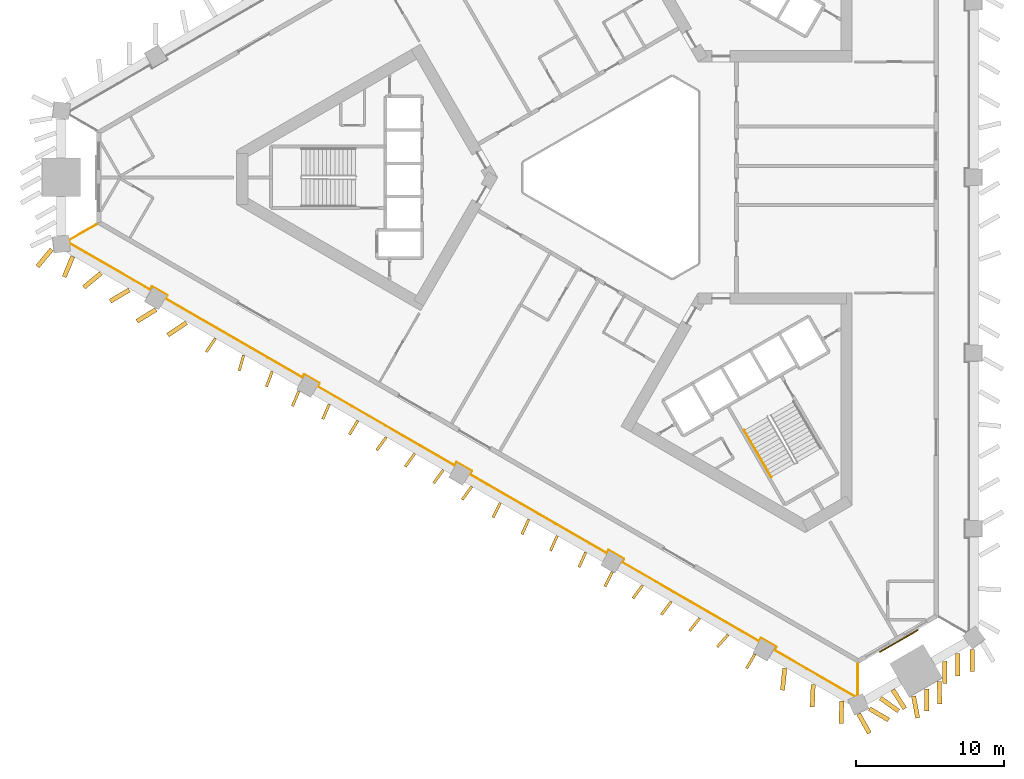
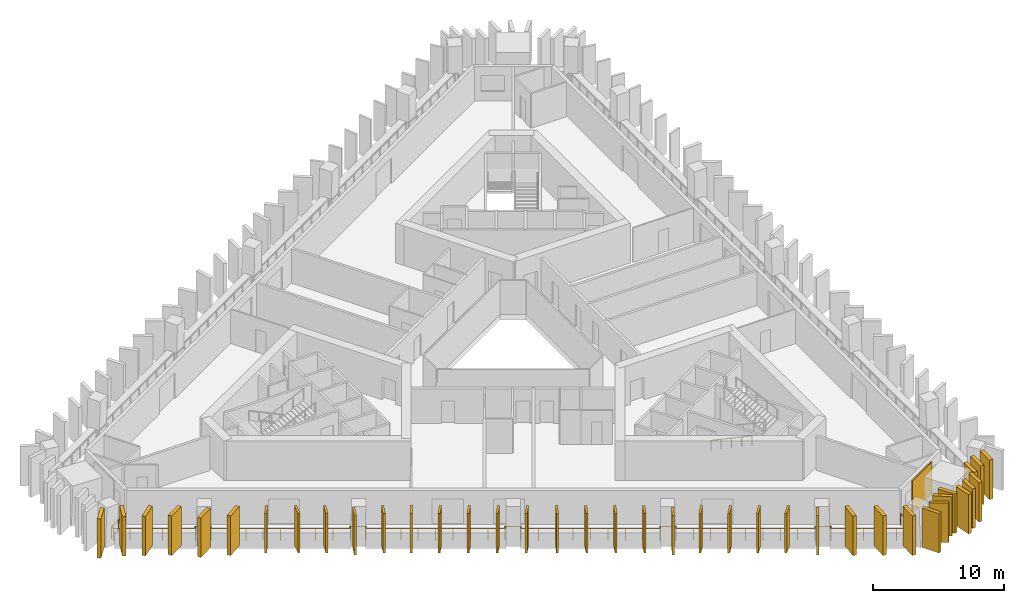
# One storey, part 8 of 11: 39 shading devices, 2 railings, 1 covering.
"""IFC4 building model written with IfcOpenShell, lengths in metres."""

from ifc_helpers import new_model, si_unit, direction, frame, frame_2d, origin, origin_2d, place, context, subcontext, project, spatial, rectangle, circle, extrude, material, layer, layer_set, type_object, element, save


model = new_model("IFC4")

# Units and contexts
model_context = context("Model", 3, precision=1e-05, world=origin(), true_north=direction((0.0, 1.0)))
body_context = subcontext(model_context, "Body", "Model", "MODEL_VIEW")
ifc_project = project(units=[si_unit("LENGTHUNIT", "METRE"), si_unit("AREAUNIT", "SQUARE_METRE"), si_unit("VOLUMEUNIT", "CUBIC_METRE"), si_unit("PLANEANGLEUNIT", "RADIAN"), si_unit("MASSUNIT", "GRAM", prefix="KILO")], contexts=[model_context])

# Site, building, storey
site_placement = place(None, origin())
site = spatial("IfcSite", under=ifc_project, at=site_placement, CompositionType="ELEMENT")
building_placement = place(site_placement, origin())
building = spatial("IfcBuilding", under=site, at=building_placement, Name="Jabali Bay Hotel Tower and Convention Centre", CompositionType="ELEMENT")
storey_placement = place(building_placement, frame((0.0, 0.0, 75.800048828125)))
storey = spatial("IfcBuildingStorey", under=building, at=storey_placement, Name="L17", CompositionType="ELEMENT", Elevation=75.800048828125)

# Railing
ifc_material_1 = material(Name="Glass", Category="glass")
railing_type_1 = type_object("IfcRailingType", Name="Loggia glass guard 1100", PredefinedType="BALUSTRADE", material=ifc_material_1)
railing_1_placement = place(storey_placement, frame((90.2822265625, 47.1875, 0.0)))
element("IfcRailing", 1, at=railing_1_placement, inside=storey, type_object=railing_type_1, Name="Loggia glass guard L17", PredefinedType="BALUSTRADE", context=body_context, shape_type="SweptSolid", body=[
    extrude(circle(Radius=0.02490234375, at=origin_2d()), frame((0.0, 0.0, 1.0751953125), z_axis=(0.0, -1.0, 0.0), x_axis=(0.991444861374, 0.0, 0.13052619222)), (0.0, 0.0, 1.0), 2.110595703125),
    extrude(circle(Radius=0.02490234375, at=origin_2d()), frame((0.0, -2.110595703125, 1.0751953125), z_axis=(-0.918438029816, -0.395564894029, 0.0), x_axis=(0.392180781525, -0.910580665151, 0.13052619222)), (0.0, 0.0, 1.0), 0.21484375),
    extrude(circle(Radius=0.02490234375, at=origin_2d()), frame((-0.197265625, -2.195556640625, 1.0751953125), z_axis=(-0.86603308215, 0.499986700445, 0.0), x_axis=(-0.495709244911, -0.858624049077, 0.13052619222)), (0.0, 0.0, 1.0), 6.264892578125),
    extrude(circle(Radius=0.02490234375, at=origin_2d()), frame((-5.622802734375, 0.936767578125, 1.0751953125), z_axis=(0.499919672301, 0.866071776036, 0.0), x_axis=(-0.858662411932, 0.495642790202, 0.13052619222)), (0.0, 0.0, 1.0), 0.25),
    extrude(circle(Radius=0.02490234375, at=origin_2d()), frame((-5.497802734375, 1.1533203125, 1.0751953125), z_axis=(-0.865955154139, 0.50012165622, 0.0), x_axis=(-0.495843046121, -0.858546787751, 0.13052619222)), (0.0, 0.0, 1.0), 1.199951171875),
    extrude(circle(Radius=0.02490234375, at=origin_2d()), frame((-6.536865234375, 1.75341796875, 1.0751953125), z_axis=(-0.499919672301, -0.866071776036, 0.0), x_axis=(0.858662411932, -0.495642790202, 0.13052619222)), (0.0, 0.0, 1.0), 0.25),
    extrude(circle(Radius=0.02490234375, at=origin_2d()), frame((-6.661865234375, 1.536865234375, 1.0751953125), z_axis=(-0.866031384183, 0.499989641503, 0.0), x_axis=(-0.495712160809, -0.858622365636, 0.13052619222)), (0.0, 0.0, 1.0), 10.651611328125),
    extrude(circle(Radius=0.02490234375, at=origin_2d()), frame((-15.886474609375, 6.862548828125, 1.0751953125), z_axis=(0.499919672301, 0.866071776036, 0.0), x_axis=(-0.858662411932, 0.495642790202, 0.13052619222)), (0.0, 0.0, 1.0), 0.25),
    extrude(circle(Radius=0.02490234375, at=origin_2d()), frame((-15.761474609375, 7.0791015625, 1.0751953125), z_axis=(-0.866006032174, 0.500033551112, 0.0), x_axis=(-0.495755694765, -0.858597230518, 0.13052619222)), (0.0, 0.0, 1.0), 1.2001953125),
    extrude(circle(Radius=0.02490234375, at=origin_2d()), frame((-16.80078125, 7.67919921875, 1.0751953125), z_axis=(-0.499919672301, -0.866071776036, 0.0), x_axis=(0.858662411932, -0.495642790202, 0.13052619222)), (0.0, 0.0, 1.0), 0.25),
    extrude(circle(Radius=0.02490234375, at=origin_2d()), frame((-16.92578125, 7.462646484375, 1.0751953125), z_axis=(-0.866021459358, 0.500006831884, 0.0), x_axis=(-0.495729204123, -0.85861252572, 0.13052619222)), (0.0, 0.0, 1.0), 10.651611328125),
    extrude(circle(Radius=0.02490234375, at=origin_2d()), frame((-26.150390625, 12.78857421875, 1.0751953125), z_axis=(0.500342721131, 0.865827443207, 0.0), x_axis=(-0.858420169404, 0.496062219791, 0.13052619222)), (0.0, 0.0, 1.0), 0.249755859375),
    extrude(circle(Radius=0.02490234375, at=origin_2d()), frame((-26.025390625, 13.0048828125, 1.0751953125), z_axis=(-0.865955154139, 0.50012165622, 0.0), x_axis=(-0.495843046121, -0.858546787751, 0.13052619222)), (0.0, 0.0, 1.0), 1.199951171875),
    extrude(circle(Radius=0.02490234375, at=origin_2d()), frame((-27.064453125, 13.60498046875, 1.0751953125), z_axis=(-0.499919672301, -0.866071776036, 0.0), x_axis=(0.858662411932, -0.495642790202, 0.13052619222)), (0.0, 0.0, 1.0), 0.25),
    extrude(circle(Radius=0.02490234375, at=origin_2d()), frame((-27.189453125, 13.388427734375, 1.0751953125), z_axis=(-0.866021459358, 0.500006831884, 0.0), x_axis=(-0.495729204123, -0.85861252572, 0.13052619222)), (0.0, 0.0, 1.0), 10.651611328125),
    extrude(circle(Radius=0.02490234375, at=origin_2d()), frame((-36.4140625, 18.71435546875, 1.0751953125), z_axis=(0.500342721131, 0.865827443207, 0.0), x_axis=(-0.858420169404, 0.496062219791, 0.13052619222)), (0.0, 0.0, 1.0), 0.249755859375),
    extrude(circle(Radius=0.02490234375, at=origin_2d()), frame((-36.2890625, 18.9306640625, 1.0751953125), z_axis=(-0.866006032174, 0.500033551112, 0.0), x_axis=(-0.495755694765, -0.858597230518, 0.13052619222)), (0.0, 0.0, 1.0), 1.2001953125),
    extrude(circle(Radius=0.02490234375, at=origin_2d()), frame((-37.328369140625, 19.53076171875, 1.0751953125), z_axis=(-0.499919672301, -0.866071776036, 0.0), x_axis=(0.858662411932, -0.495642790202, 0.13052619222)), (0.0, 0.0, 1.0), 0.25),
    extrude(circle(Radius=0.02490234375, at=origin_2d()), frame((-37.453369140625, 19.314208984375, 1.0751953125), z_axis=(-0.866021459358, 0.500006831884, 0.0), x_axis=(-0.495729204123, -0.85861252572, 0.13052619222)), (0.0, 0.0, 1.0), 10.651611328125),
    extrude(circle(Radius=0.02490234375, at=origin_2d()), frame((-46.677978515625, 24.64013671875, 1.0751953125), z_axis=(0.499919672301, 0.866071776036, 0.0), x_axis=(-0.858662411932, 0.495642790202, 0.13052619222)), (0.0, 0.0, 1.0), 0.25),
    extrude(circle(Radius=0.02490234375, at=origin_2d()), frame((-46.552978515625, 24.856689453125, 1.0751953125), z_axis=(-0.866043267704, 0.499969057507, 0.0), x_axis=(-0.495691752911, -0.858634147493, 0.13052619222)), (0.0, 0.0, 1.0), 1.19970703125),
    extrude(circle(Radius=0.02490234375, at=origin_2d()), frame((-47.592041015625, 25.45654296875, 1.0751953125), z_axis=(-0.499919672301, -0.866071776036, 0.0), x_axis=(0.858662411932, -0.495642790202, 0.13052619222)), (0.0, 0.0, 1.0), 0.25),
    extrude(circle(Radius=0.02490234375, at=origin_2d()), frame((-47.717041015625, 25.239990234375, 1.0751953125), z_axis=(-0.866016207726, 0.500015927702, 0.0), x_axis=(-0.495738222126, -0.858607319016, 0.13052619222)), (0.0, 0.0, 1.0), 6.264892578125),
    extrude(circle(Radius=0.02490234375, at=origin_2d()), frame((-53.142578125, 28.37255859375, 1.0751953125), z_axis=(-0.116049066602, 0.993243481801, 0.0), x_axis=(-0.984746146125, -0.11505625075, 0.13052619222)), (0.0, 0.0, 1.0), 0.214599609375),
    extrude(circle(Radius=0.02490234375, at=origin_2d()), frame((-53.16748046875, 28.585693359375, 1.0751953125), z_axis=(0.86605653045, 0.499946083158, 0.0), x_axis=(-0.495668975111, 0.858647296774, 0.13052619222)), (0.0, 0.0, 1.0), 2.110595703125),
    extrude(circle(Radius=0.02001953125, at=origin_2d()), origin(), (0.0, 0.0, 1.0), 1.050048828125),
    extrude(circle(Radius=0.02001953125, at=origin_2d()), frame((0.0, -1.05517578125, 0.0)), (0.0, 0.0, 1.0), 1.050048828125),
    extrude(circle(Radius=0.02001953125, at=origin_2d()), frame((0.0, -2.110595703125, 0.0)), (0.0, 0.0, 1.0), 1.050048828125),
    extrude(circle(Radius=0.02001953125, at=origin_2d()), frame((-0.197265625, -2.195556640625, 0.0)), (0.0, 0.0, 1.0), 1.050048828125),
    extrude(circle(Radius=0.02001953125, at=origin_2d()), frame((-1.282470703125, -1.569091796875, 0.0)), (0.0, 0.0, 1.0), 1.050048828125),
    extrude(circle(Radius=0.02001953125, at=origin_2d()), frame((-2.367431640625, -0.942626953125, 0.0)), (0.0, 0.0, 1.0), 1.050048828125),
    extrude(circle(Radius=0.02001953125, at=origin_2d()), frame((-3.45263671875, -0.316162109375, 0.0)), (0.0, 0.0, 1.0), 1.050048828125),
    extrude(circle(Radius=0.02001953125, at=origin_2d()), frame((-4.53759765625, 0.310302734375, 0.0)), (0.0, 0.0, 1.0), 1.050048828125),
    extrude(circle(Radius=0.02001953125, at=origin_2d()), frame((-5.622802734375, 0.936767578125, 0.0)), (0.0, 0.0, 1.0), 1.050048828125),
    extrude(circle(Radius=0.02001953125, at=origin_2d()), frame((-5.497802734375, 1.1533203125, 0.0)), (0.0, 0.0, 1.0), 1.050048828125),
    extrude(circle(Radius=0.02001953125, at=origin_2d()), frame((-6.536865234375, 1.75341796875, 0.0)), (0.0, 0.0, 1.0), 1.050048828125),
    extrude(circle(Radius=0.02001953125, at=origin_2d()), frame((-6.661865234375, 1.536865234375, 0.0)), (0.0, 0.0, 1.0), 1.050048828125),
    extrude(circle(Radius=0.02001953125, at=origin_2d()), frame((-7.81494140625, 2.20263671875, 0.0)), (0.0, 0.0, 1.0), 1.050048828125),
    extrude(circle(Radius=0.02001953125, at=origin_2d()), frame((-8.968017578125, 2.8681640625, 0.0)), (0.0, 0.0, 1.0), 1.050048828125),
    extrude(circle(Radius=0.02001953125, at=origin_2d()), frame((-10.12109375, 3.533935546875, 0.0)), (0.0, 0.0, 1.0), 1.050048828125),
    extrude(circle(Radius=0.02001953125, at=origin_2d()), frame((-11.274169921875, 4.19970703125, 0.0)), (0.0, 0.0, 1.0), 1.050048828125),
    extrude(circle(Radius=0.02001953125, at=origin_2d()), frame((-12.42724609375, 4.865478515625, 0.0)), (0.0, 0.0, 1.0), 1.050048828125),
    extrude(circle(Radius=0.02001953125, at=origin_2d()), frame((-13.580322265625, 5.53125, 0.0)), (0.0, 0.0, 1.0), 1.050048828125),
    extrude(circle(Radius=0.02001953125, at=origin_2d()), frame((-14.7333984375, 6.19677734375, 0.0)), (0.0, 0.0, 1.0), 1.050048828125),
    extrude(circle(Radius=0.02001953125, at=origin_2d()), frame((-15.886474609375, 6.862548828125, 0.0)), (0.0, 0.0, 1.0), 1.050048828125),
    extrude(circle(Radius=0.02001953125, at=origin_2d()), frame((-15.761474609375, 7.0791015625, 0.0)), (0.0, 0.0, 1.0), 1.050048828125),
    extrude(circle(Radius=0.02001953125, at=origin_2d()), frame((-16.80078125, 7.67919921875, 0.0)), (0.0, 0.0, 1.0), 1.050048828125),
    extrude(circle(Radius=0.02001953125, at=origin_2d()), frame((-16.92578125, 7.462646484375, 0.0)), (0.0, 0.0, 1.0), 1.050048828125),
    extrude(circle(Radius=0.02001953125, at=origin_2d()), frame((-18.078857421875, 8.12841796875, 0.0)), (0.0, 0.0, 1.0), 1.050048828125),
    extrude(circle(Radius=0.02001953125, at=origin_2d()), frame((-19.23193359375, 8.794189453125, 0.0)), (0.0, 0.0, 1.0), 1.050048828125),
    extrude(circle(Radius=0.02001953125, at=origin_2d()), frame((-20.385009765625, 9.4599609375, 0.0)), (0.0, 0.0, 1.0), 1.050048828125),
    extrude(circle(Radius=0.02001953125, at=origin_2d()), frame((-21.5380859375, 10.12548828125, 0.0)), (0.0, 0.0, 1.0), 1.050048828125),
    extrude(circle(Radius=0.02001953125, at=origin_2d()), frame((-22.691162109375, 10.791259765625, 0.0)), (0.0, 0.0, 1.0), 1.050048828125),
    extrude(circle(Radius=0.02001953125, at=origin_2d()), frame((-23.84423828125, 11.45703125, 0.0)), (0.0, 0.0, 1.0), 1.050048828125),
    extrude(circle(Radius=0.02001953125, at=origin_2d()), frame((-24.997314453125, 12.122802734375, 0.0)), (0.0, 0.0, 1.0), 1.050048828125),
    extrude(circle(Radius=0.02001953125, at=origin_2d()), frame((-26.150390625, 12.78857421875, 0.0)), (0.0, 0.0, 1.0), 1.050048828125),
    extrude(circle(Radius=0.02001953125, at=origin_2d()), frame((-26.025390625, 13.0048828125, 0.0)), (0.0, 0.0, 1.0), 1.050048828125),
    extrude(circle(Radius=0.02001953125, at=origin_2d()), frame((-27.064453125, 13.60498046875, 0.0)), (0.0, 0.0, 1.0), 1.050048828125),
    extrude(circle(Radius=0.02001953125, at=origin_2d()), frame((-27.189453125, 13.388427734375, 0.0)), (0.0, 0.0, 1.0), 1.050048828125),
    extrude(circle(Radius=0.02001953125, at=origin_2d()), frame((-28.342529296875, 14.05419921875, 0.0)), (0.0, 0.0, 1.0), 1.050048828125),
    extrude(circle(Radius=0.02001953125, at=origin_2d()), frame((-29.49560546875, 14.719970703125, 0.0)), (0.0, 0.0, 1.0), 1.050048828125),
    extrude(circle(Radius=0.02001953125, at=origin_2d()), frame((-30.648681640625, 15.3857421875, 0.0)), (0.0, 0.0, 1.0), 1.050048828125),
    extrude(circle(Radius=0.02001953125, at=origin_2d()), frame((-31.8017578125, 16.05126953125, 0.0)), (0.0, 0.0, 1.0), 1.050048828125),
    extrude(circle(Radius=0.02001953125, at=origin_2d()), frame((-32.954833984375, 16.717041015625, 0.0)), (0.0, 0.0, 1.0), 1.050048828125),
    extrude(circle(Radius=0.02001953125, at=origin_2d()), frame((-34.10791015625, 17.3828125, 0.0)), (0.0, 0.0, 1.0), 1.050048828125),
    extrude(circle(Radius=0.02001953125, at=origin_2d()), frame((-35.260986328125, 18.048583984375, 0.0)), (0.0, 0.0, 1.0), 1.050048828125),
    extrude(circle(Radius=0.02001953125, at=origin_2d()), frame((-36.4140625, 18.71435546875, 0.0)), (0.0, 0.0, 1.0), 1.050048828125),
    extrude(circle(Radius=0.02001953125, at=origin_2d()), frame((-36.2890625, 18.9306640625, 0.0)), (0.0, 0.0, 1.0), 1.050048828125),
    extrude(circle(Radius=0.02001953125, at=origin_2d()), frame((-37.328369140625, 19.53076171875, 0.0)), (0.0, 0.0, 1.0), 1.050048828125),
    extrude(circle(Radius=0.02001953125, at=origin_2d()), frame((-37.453369140625, 19.314208984375, 0.0)), (0.0, 0.0, 1.0), 1.050048828125),
    extrude(circle(Radius=0.02001953125, at=origin_2d()), frame((-38.6064453125, 19.97998046875, 0.0)), (0.0, 0.0, 1.0), 1.050048828125),
    extrude(circle(Radius=0.02001953125, at=origin_2d()), frame((-39.759521484375, 20.645751953125, 0.0)), (0.0, 0.0, 1.0), 1.050048828125),
    extrude(circle(Radius=0.02001953125, at=origin_2d()), frame((-40.91259765625, 21.3115234375, 0.0)), (0.0, 0.0, 1.0), 1.050048828125),
    extrude(circle(Radius=0.02001953125, at=origin_2d()), frame((-42.065673828125, 21.97705078125, 0.0)), (0.0, 0.0, 1.0), 1.050048828125),
    extrude(circle(Radius=0.02001953125, at=origin_2d()), frame((-43.21875, 22.642822265625, 0.0)), (0.0, 0.0, 1.0), 1.050048828125),
    extrude(circle(Radius=0.02001953125, at=origin_2d()), frame((-44.371826171875, 23.30859375, 0.0)), (0.0, 0.0, 1.0), 1.050048828125),
    extrude(circle(Radius=0.02001953125, at=origin_2d()), frame((-45.52490234375, 23.974365234375, 0.0)), (0.0, 0.0, 1.0), 1.050048828125),
    extrude(circle(Radius=0.02001953125, at=origin_2d()), frame((-46.677978515625, 24.64013671875, 0.0)), (0.0, 0.0, 1.0), 1.050048828125),
    extrude(circle(Radius=0.02001953125, at=origin_2d()), frame((-46.552978515625, 24.856689453125, 0.0)), (0.0, 0.0, 1.0), 1.050048828125),
    extrude(circle(Radius=0.02001953125, at=origin_2d()), frame((-47.592041015625, 25.45654296875, 0.0)), (0.0, 0.0, 1.0), 1.050048828125),
    extrude(circle(Radius=0.02001953125, at=origin_2d()), frame((-47.717041015625, 25.239990234375, 0.0)), (0.0, 0.0, 1.0), 1.050048828125),
    extrude(circle(Radius=0.02001953125, at=origin_2d()), frame((-48.80224609375, 25.866455078125, 0.0)), (0.0, 0.0, 1.0), 1.050048828125),
    extrude(circle(Radius=0.02001953125, at=origin_2d()), frame((-49.88720703125, 26.492919921875, 0.0)), (0.0, 0.0, 1.0), 1.050048828125),
    extrude(circle(Radius=0.02001953125, at=origin_2d()), frame((-50.972412109375, 27.11962890625, 0.0)), (0.0, 0.0, 1.0), 1.050048828125),
    extrude(circle(Radius=0.02001953125, at=origin_2d()), frame((-52.057373046875, 27.74609375, 0.0)), (0.0, 0.0, 1.0), 1.050048828125),
    extrude(circle(Radius=0.02001953125, at=origin_2d()), frame((-53.142578125, 28.37255859375, 0.0)), (0.0, 0.0, 1.0), 1.050048828125),
    extrude(circle(Radius=0.02001953125, at=origin_2d()), frame((-53.16748046875, 28.585693359375, 0.0)), (0.0, 0.0, 1.0), 1.050048828125),
    extrude(circle(Radius=0.02001953125, at=origin_2d()), frame((-52.25341796875, 29.11328125, 0.0)), (0.0, 0.0, 1.0), 1.050048828125),
    extrude(circle(Radius=0.02001953125, at=origin_2d()), frame((-51.339599609375, 29.640869140625, 0.0)), (0.0, 0.0, 1.0), 1.050048828125),
])

# Shading devices
ifc_material_2 = material(Name="Precast concrete C60", Category="concrete")
ifc_layer_1 = layer(ifc_material_2, 0.179931640625)
ifc_layer_set_1 = layer_set([ifc_layer_1], Name="Precast concrete C60")
shading_device_type_1 = type_object("IfcShadingDeviceType", Name="Precast fin 3680 x 1100", PredefinedType="USERDEFINED", material=ifc_layer_set_1)
for number, where, z_axis, x_axis, name in (
    (2, (46.95947265625, 69.142333984375, 0.010009765625), (0.0, 0.0, 1.0), (-0.552136954117, -0.833753431116, 0.0), "Fin L17 079"),
    (3, (48.872314453125, 68.019287109375, 0.010009765625), (0.0, 0.0, 1.0), (-0.277211875289, -0.960808813552, 0.0), "Fin L17 080"),
    (4, (50.797119140625, 66.91650390625, 0.010009765625), (0.0, 0.0, 1.0), (-0.355109152666, -0.934824844392, 0.0), "Fin L17 081"),
    (5, (52.591064453125, 65.587158203125, 0.010009765625), (0.0, 0.0, 1.0), (-0.388126444781, -0.921606132175, 0.0), "Fin L17 082"),
):
    element("IfcShadingDevice", number, at=place(storey_placement, frame(where, z_axis=z_axis, x_axis=x_axis)), inside=storey, type_object=shading_device_type_1, Name=name, ObjectType="FIN", PredefinedType="USERDEFINED", context=body_context, shape_type="SweptSolid", body=[
        extrude(rectangle(XDim=1.10009765625, YDim=0.179931640625, at=frame_2d((0.550048828125, 0.0))), origin(), (0.0, 0.0, 1.0), 3.679931640625),
    ])
shading_device_1_placement = place(storey_placement, frame((54.641357421875, 64.701904296875, 0.010009765625), z_axis=(0.0, 0.0, 1.0), x_axis=(-0.400178351771, -0.916437279236, 0.0)))
element("IfcShadingDevice", 6, at=shading_device_1_placement, inside=storey, type_object=shading_device_type_1, Name="Fin L17 083", ObjectType="FIN", PredefinedType="USERDEFINED", context=body_context, shape_type="SweptSolid", body=[
    extrude(rectangle(XDim=1.099853515625, YDim=0.179931640625, at=frame_2d((0.5498046875, 0.0))), origin(), (0.0, 0.0, 1.0), 3.679931640625),
])
shading_device_2_placement = place(storey_placement, frame((56.56689453125, 63.6005859375, 0.010009765625), z_axis=(0.0, 0.0, 1.0), x_axis=(-0.511784264173, -0.859114001134, 0.0)))
element("IfcShadingDevice", 7, at=shading_device_2_placement, inside=storey, type_object=shading_device_type_1, Name="Fin L17 084", ObjectType="FIN", PredefinedType="USERDEFINED", context=body_context, shape_type="SweptSolid", body=[
    extrude(rectangle(XDim=1.10009765625, YDim=0.179931640625, at=frame_2d((0.550048828125, 0.0))), origin(), (0.0, 0.0, 1.0), 3.679931640625),
])
shading_device_3_placement = place(storey_placement, frame((58.483642578125, 62.484130859375, 0.010009765625), z_axis=(0.0, 0.0, 1.0), x_axis=(-0.588105692608, -0.80878408387, 0.0)))
element("IfcShadingDevice", 8, at=shading_device_3_placement, inside=storey, type_object=shading_device_type_1, Name="Fin L17 085", ObjectType="FIN", PredefinedType="USERDEFINED", context=body_context, shape_type="SweptSolid", body=[
    extrude(rectangle(XDim=1.099609375, YDim=0.179931640625, at=frame_2d((0.5498046875, 0.0))), origin(), (0.0, 0.0, 1.0), 3.679931640625),
])
for number, where, z_axis, x_axis, name in (
    (9, (60.40478515625, 61.375244140625, 0.010009765625), (0.0, 0.0, 1.0), (-0.587498449283, -0.809225291306, 0.0), "Fin L17 086"),
    (10, (62.325927734375, 60.26611328125, 0.010009765625), (0.0, 0.0, 1.0), (-0.587247572646, -0.809407368648, 0.0), "Fin L17 087"),
    (11, (64.247314453125, 59.157470703125, 0.010009765625), (0.0, 0.0, 1.0), (-0.581951807924, -0.813223273926, 0.0), "Fin L17 088"),
):
    element("IfcShadingDevice", number, at=place(storey_placement, frame(where, z_axis=z_axis, x_axis=x_axis)), inside=storey, type_object=shading_device_type_1, Name=name, ObjectType="FIN", PredefinedType="USERDEFINED", context=body_context, shape_type="SweptSolid", body=[
        extrude(rectangle(XDim=1.10009765625, YDim=0.179931640625, at=frame_2d((0.550048828125, 0.0))), origin(), (0.0, 0.0, 1.0), 3.679931640625),
    ])
shading_device_4_placement = place(storey_placement, frame((66.169921875, 58.05126953125, 0.010009765625), z_axis=(0.0, 0.0, 1.0), x_axis=(-0.44703601528, -0.894515959076, 0.0)))
element("IfcShadingDevice", 12, at=shading_device_4_placement, inside=storey, type_object=shading_device_type_1, Name="Fin L17 089", ObjectType="FIN", PredefinedType="USERDEFINED", context=body_context, shape_type="SweptSolid", body=[
    extrude(rectangle(XDim=1.099853515625, YDim=0.179931640625, at=frame_2d((0.5498046875, 0.0))), origin(), (0.0, 0.0, 1.0), 3.679931640625),
])
for number, where, z_axis, x_axis, name in (
    (13, (68.089111328125, 56.938720703125, 0.010009765625), (0.0, 0.0, 1.0), (-0.40745587149, -0.913224897158, 0.0), "Fin L17 090"),
    (14, (70.01025390625, 55.82958984375, 0.010009765625), (0.0, 0.0, 1.0), (-0.407270764725, -0.91330746422, 0.0), "Fin L17 091"),
    (15, (71.93115234375, 54.720458984375, 0.010009765625), (0.0, 0.0, 1.0), (-0.406817905151, -0.913509273105, 0.0), "Fin L17 092"),
    (16, (73.725830078125, 53.392333984375, 0.010009765625), (0.0, 0.0, 1.0), (-0.451380784789, -0.89233143345, 0.0), "Fin L17 093"),
    (17, (75.773193359375, 52.501953125, 0.010009765625), (0.0, 0.0, 1.0), (-0.591373283687, -0.806397941057, 0.0), "Fin L17 094"),
    (18, (77.69384765625, 51.39208984375, 0.010009765625), (0.0, 0.0, 1.0), (-0.598116326173, -0.801409296405, 0.0), "Fin L17 095"),
    (19, (79.61376953125, 50.28125, 0.010009765625), (0.0, 0.0, 1.0), (-0.616104774625, -0.787664209346, 0.0), "Fin L17 096"),
    (20, (81.5322265625, 49.167724609375, 0.010009765625), (0.0, 0.0, 1.0), (-0.660857981404, -0.75051097821, 0.0), "Fin L17 097"),
):
    element("IfcShadingDevice", number, at=place(storey_placement, frame(where, z_axis=z_axis, x_axis=x_axis)), inside=storey, type_object=shading_device_type_1, Name=name, ObjectType="FIN", PredefinedType="USERDEFINED", context=body_context, shape_type="SweptSolid", body=[
        extrude(rectangle(XDim=1.10009765625, YDim=0.179931640625, at=frame_2d((0.550048828125, 0.0))), origin(), (0.0, 0.0, 1.0), 3.679931640625),
    ])
shading_device_5_placement = place(storey_placement, frame((83.333251953125, 47.8505859375, 0.010009765625), z_axis=(0.0, 0.0, 1.0), x_axis=(-0.498575387303, -0.866846343463, 0.0)))
element("IfcShadingDevice", 21, at=shading_device_5_placement, inside=storey, type_object=shading_device_type_1, Name="Fin L17 098", ObjectType="FIN", PredefinedType="USERDEFINED", context=body_context, shape_type="SweptSolid", body=[
    extrude(rectangle(XDim=1.099853515625, YDim=0.179931640625, at=frame_2d((0.5498046875, 0.0))), origin(), (0.0, 0.0, 1.0), 3.679931640625),
])
ifc_layer_2 = layer(ifc_material_2, 0.300048828125)
ifc_layer_set_2 = layer_set([ifc_layer_2], Name="Precast concrete C60")
shading_device_type_2 = type_object("IfcShadingDeviceType", Name="Precast fin 3680 x 1500", PredefinedType="USERDEFINED", material=ifc_layer_set_2)
shading_device_6_placement = place(storey_placement, frame((37.346923828125, 74.675537109375, 0.010009765625), z_axis=(0.0, 0.0, 1.0), x_axis=(-0.380184922943, -0.924910495327, 0.0)))
element("IfcShadingDevice", 22, at=shading_device_6_placement, inside=storey, type_object=shading_device_type_2, Name="Fin L17 074", ObjectType="FIN", PredefinedType="USERDEFINED", context=body_context, shape_type="SweptSolid", body=[
    extrude(rectangle(XDim=1.5, YDim=0.300048828125, at=frame_2d((0.75, 0.0))), origin(), (0.0, 0.0, 1.0), 3.679931640625),
])
shading_device_7_placement = place(storey_placement, frame((39.251708984375, 73.538330078125, 0.010009765625), z_axis=(0.0, 0.0, 1.0), x_axis=(-0.770245425887, -0.637747586354, 0.0)))
element("IfcShadingDevice", 23, at=shading_device_7_placement, inside=storey, type_object=shading_device_type_2, Name="Fin L17 075", ObjectType="FIN", PredefinedType="USERDEFINED", context=body_context, shape_type="SweptSolid", body=[
    extrude(rectangle(XDim=1.499755859375, YDim=0.300048828125, at=frame_2d((0.75, 0.0))), origin(), (0.0, 0.0, 1.0), 3.679931640625),
])
shading_device_8_placement = place(storey_placement, frame((41.162353515625, 72.410888671875, 0.010009765625), z_axis=(0.0, 0.0, 1.0), x_axis=(-0.859725209223, -0.510756854703, 0.0)))
element("IfcShadingDevice", 24, at=shading_device_8_placement, inside=storey, type_object=shading_device_type_2, Name="Fin L17 076", ObjectType="FIN", PredefinedType="USERDEFINED", context=body_context, shape_type="SweptSolid", body=[
    extrude(rectangle(XDim=1.5, YDim=0.300048828125, at=frame_2d((0.75, 0.0))), origin(), (0.0, 0.0, 1.0), 3.679931640625),
])
for number, where, z_axis, x_axis, name in (
    (25, (42.955322265625, 71.080322265625, 0.010009765625), (0.0, 0.0, 1.0), (-0.853124868717, -0.521706774325, 0.0), "Fin L17 077"),
    (26, (45.0078125, 70.19873046875, 0.010009765625), (0.0, 0.0, 1.0), (-0.831473859422, -0.555563876704, 0.0), "Fin L17 078"),
):
    element("IfcShadingDevice", number, at=place(storey_placement, frame(where, z_axis=z_axis, x_axis=x_axis)), inside=storey, type_object=shading_device_type_2, Name=name, ObjectType="FIN", PredefinedType="USERDEFINED", context=body_context, shape_type="SweptSolid", body=[
        extrude(rectangle(XDim=1.499755859375, YDim=0.300048828125, at=frame_2d((0.75, 0.0))), origin(), (0.0, 0.0, 1.0), 3.679931640625),
    ])
shading_device_9_placement = place(storey_placement, frame((85.3525390625, 46.911376953125, 0.010009765625), z_axis=(0.0, 0.0, 1.0), x_axis=(-0.100422216727, -0.994944912238, 0.0)))
element("IfcShadingDevice", 27, at=shading_device_9_placement, inside=storey, type_object=shading_device_type_2, Name="Fin L17 099", ObjectType="FIN", PredefinedType="USERDEFINED", context=body_context, shape_type="SweptSolid", body=[
    extrude(rectangle(XDim=1.5, YDim=0.300048828125, at=frame_2d((0.75, 0.0))), origin(), (0.0, 0.0, 1.0), 3.679931640625),
])
shading_device_10_placement = place(storey_placement, frame((87.269287109375, 45.794921875, 0.010009765625), z_axis=(0.0, 0.0, 1.0), x_axis=(-0.038251834294, -0.99926813077, 0.0)))
element("IfcShadingDevice", 28, at=shading_device_10_placement, inside=storey, type_object=shading_device_type_2, Name="Fin L17 100", ObjectType="FIN", PredefinedType="USERDEFINED", context=body_context, shape_type="SweptSolid", body=[
    extrude(rectangle(XDim=1.499755859375, YDim=0.300048828125, at=frame_2d((0.75, 0.0))), origin(), (0.0, 0.0, 1.0), 3.679931640625),
])
for number, where, z_axis, x_axis, name in (
    (29, (89.18896484375, 44.683349609375, 0.010009765625), (0.0, 0.0, 1.0), (-0.016439256307, -0.999864866295, 0.0), "Fin L17 101"),
    (30, (91.06494140625, 44.175537109375, 0.010009765625), (0.0, 0.0, 1.0), (0.862210257959, -0.506550561218, 0.0), "Fin L17 102"),
    (31, (91.80517578125, 44.8935546875, 0.010009765625), (0.0, 0.0, 1.0), (0.810842281454, -0.58526472182, 0.0), "Fin L17 103"),
    (32, (92.6435546875, 45.441162109375, 0.010009765625), (0.0, 0.0, 1.0), (0.536464693, -0.843922764928, 0.0), "Fin L17 104"),
):
    element("IfcShadingDevice", number, at=place(storey_placement, frame(where, z_axis=z_axis, x_axis=x_axis)), inside=storey, type_object=shading_device_type_2, Name=name, ObjectType="FIN", PredefinedType="USERDEFINED", context=body_context, shape_type="SweptSolid", body=[
        extrude(rectangle(XDim=1.5, YDim=0.300048828125, at=frame_2d((0.75, 0.0))), origin(), (0.0, 0.0, 1.0), 3.679931640625),
    ])
shading_device_11_placement = place(storey_placement, frame((94.037353515625, 45.02685546875, 0.010009765625), z_axis=(0.0, 0.0, 1.0), x_axis=(0.184711030495, -0.982792875032, 0.0)))
element("IfcShadingDevice", 33, at=shading_device_11_placement, inside=storey, type_object=shading_device_type_2, Name="Fin L17 105", ObjectType="FIN", PredefinedType="USERDEFINED", context=body_context, shape_type="SweptSolid", body=[
    extrude(rectangle(XDim=1.500244140625, YDim=0.300048828125, at=frame_2d((0.75, 0.0))), origin(), (0.0, 0.0, 1.0), 3.679931640625),
])
for number, where, z_axis, x_axis, name in (
    (34, (94.915283203125, 45.505615234375, 0.010009765625), (0.0, 0.0, 1.0), (0.007649515767, -0.999970742026, 0.0), "Fin L17 106"),
    (35, (95.78125, 46.005615234375, 0.010009765625), (0.0, 0.0, 1.0), (0.007649515767, -0.999970742026, 0.0), "Fin L17 107"),
    (36, (96.145263671875, 47.374755859375, 0.010009765625), (0.0, 0.0, 1.0), (0.007649515767, -0.999970742026, 0.0), "Fin L17 108"),
    (37, (97.0068359375, 47.88232421875, 0.010009765625), (0.0, 0.0, 1.0), (0.007649515767, -0.999970742026, 0.0), "Fin L17 109"),
):
    element("IfcShadingDevice", number, at=place(storey_placement, frame(where, z_axis=z_axis, x_axis=x_axis)), inside=storey, type_object=shading_device_type_2, Name=name, ObjectType="FIN", PredefinedType="USERDEFINED", context=body_context, shape_type="SweptSolid", body=[
        extrude(rectangle(XDim=1.5, YDim=0.300048828125, at=frame_2d((0.75, 0.0))), origin(), (0.0, 0.0, 1.0), 3.679931640625),
    ])
shading_device_12_placement = place(storey_placement, frame((97.992431640625, 48.175048828125, 0.010009765625), z_axis=(0.0, 0.0, 1.0), x_axis=(0.007650760936, -0.9999707325, 0.0)))
element("IfcShadingDevice", 38, at=shading_device_12_placement, inside=storey, type_object=shading_device_type_2, Name="Fin L17 110", ObjectType="FIN", PredefinedType="USERDEFINED", context=body_context, shape_type="SweptSolid", body=[
    extrude(rectangle(XDim=1.499755859375, YDim=0.300048828125, at=frame_2d((0.75, 0.0))), origin(), (0.0, 0.0, 1.0), 3.679931640625),
])
for number, where, z_axis, x_axis, name in (
    (39, (35.926513671875, 75.14501953125, 0.010009765625), (0.0, 0.0, 1.0), (-0.638822637108, -0.769354039645, 0.0), "Fin L17 115"),
    (40, (90.33203125, 43.82958984375, 0.010009765625), (0.0, 0.0, 1.0), (0.489410998385, -0.872053252193, 0.0), "Fin L17 116"),
):
    element("IfcShadingDevice", number, at=place(storey_placement, frame(where, z_axis=z_axis, x_axis=x_axis)), inside=storey, type_object=shading_device_type_2, Name=name, ObjectType="FIN", PredefinedType="USERDEFINED", context=body_context, shape_type="SweptSolid", body=[
        extrude(rectangle(XDim=1.5, YDim=0.300048828125, at=frame_2d((0.75, 0.0))), origin(), (0.0, 0.0, 1.0), 3.679931640625),
    ])

# Covering
ifc_material_3 = material(Name="Precast concrete C40/50", Category="concrete")
ifc_layer_3 = layer(ifc_material_3, 0.080078125)
ifc_layer_set_3 = layer_set([ifc_layer_3], Name="Precast concrete C40/50")
covering_type = type_object("IfcCoveringType", Name="Relief panel 3000 x 3000", PredefinedType="CLADDING", material=ifc_layer_set_3)
covering_placement = place(storey_placement, frame((93.048828125, 48.73876953125, 0.099853515625), z_axis=(0.0, 0.0, 1.0), x_axis=(-0.86602538147, -0.500000038649, 0.0)))
element("IfcCovering", 41, at=covering_placement, inside=storey, type_object=covering_type, Name="Relief panel L17", PredefinedType="CLADDING", context=body_context, shape_type="SweptSolid", body=[
    extrude(rectangle(XDim=3.0, YDim=0.080078125, at=origin_2d()), origin(), (0.0, 0.0, 1.0), 3.0),
])

# Railing
ifc_material_4 = material(Name="Steel Q355B", Category="steel")
railing_type_2 = type_object("IfcRailingType", Name="Stair handrail 900", PredefinedType="HANDRAIL", material=ifc_material_4)
railing_2_placement = place(storey_placement, frame((82.622802734375, 62.94677734375, 0.132080078125)))
element("IfcRailing", 42, at=railing_2_placement, inside=storey, type_object=railing_type_2, Name="L17 ST3 stair handrail 1", PredefinedType="HANDRAIL", context=body_context, shape_type="SweptSolid", body=[
    extrude(circle(Radius=0.02392578125, at=origin_2d()), frame((0.0, 0.0, 0.8759765625), z_axis=(0.452190331055, -0.783190014029, 0.426775475427), x_axis=(0.866018046521, 0.500012742938, 0.0)), (0.0, 0.0, 1.0), 4.02490234375),
    extrude(circle(Radius=0.02099609375, at=origin_2d()), origin(), (0.0, 0.0, 1.0), 0.851806640625),
    extrude(circle(Radius=0.02099609375, at=origin_2d()), frame((0.455078125, -0.7880859375, 0.429443359375)), (0.0, 0.0, 1.0), 0.851806640625),
    extrude(circle(Radius=0.02099609375, at=origin_2d()), frame((0.91015625, -1.576171875, 0.85888671875)), (0.0, 0.0, 1.0), 0.851806640625),
    extrude(circle(Radius=0.02099609375, at=origin_2d()), frame((1.364990234375, -2.3642578125, 1.288330078125)), (0.0, 0.0, 1.0), 0.851806640625),
    extrude(circle(Radius=0.02099609375, at=origin_2d()), frame((1.820068359375, -3.15234375, 1.7177734375)), (0.0, 0.0, 1.0), 0.851806640625),
])

save(model, "model.ifc")
